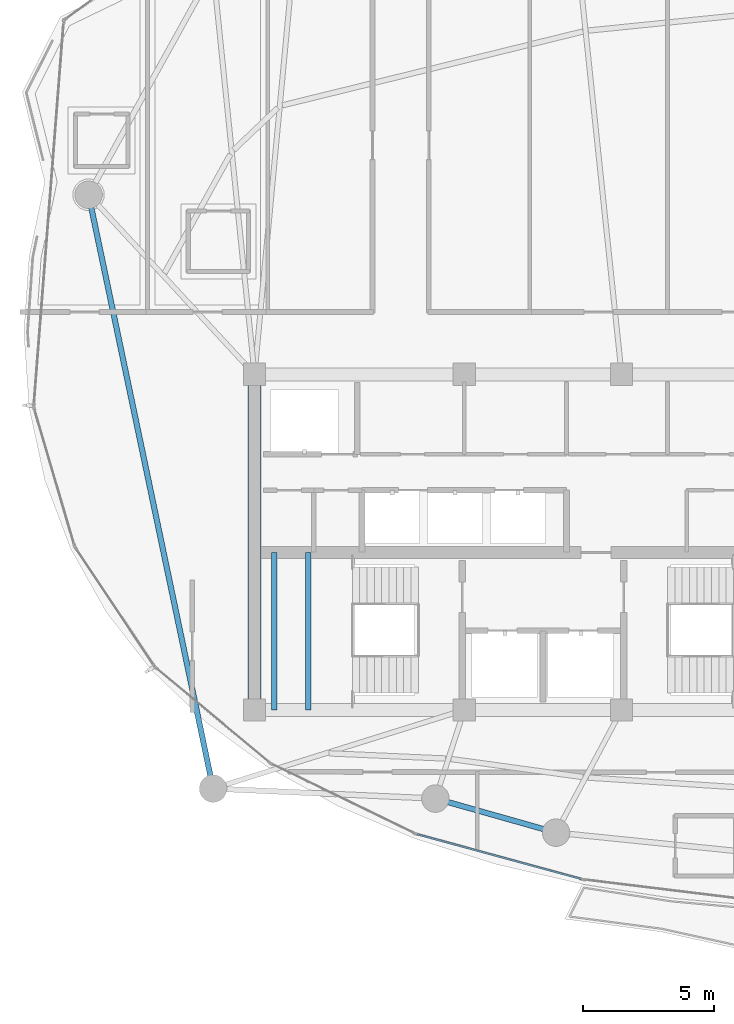
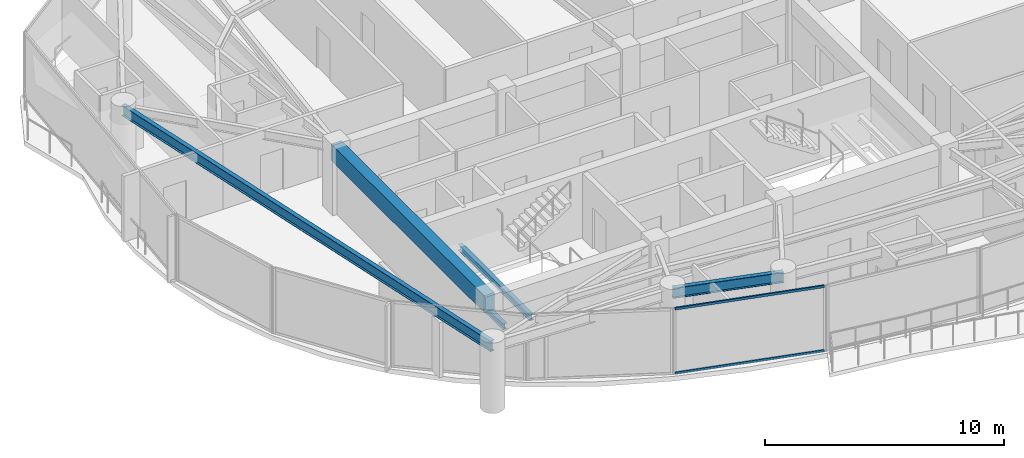
# One storey, part 4 of 31: 5 beams, 2 members, 1 element without a shape of its own.
"""IFC4 building model written with IfcOpenShell, lengths in metres."""

from ifc_helpers import new_model, si_unit, direction, frame, origin, origin_2d, place, context, subcontext, project, spatial, rectangle, hollow_rectangle, i_section, extrude, material, layer, layer_set, material_profile, profile_set, type_object, element, aggregate, save


model = new_model("IFC4")

# Units and contexts
model_context = context("Model", 3, precision=1e-05, world=origin(), true_north=direction((0.0, 1.0)))
body_context = subcontext(model_context, "Body", "Model", "MODEL_VIEW")
ifc_project = project(units=[si_unit("LENGTHUNIT", "METRE"), si_unit("AREAUNIT", "SQUARE_METRE"), si_unit("VOLUMEUNIT", "CUBIC_METRE"), si_unit("PLANEANGLEUNIT", "RADIAN"), si_unit("MASSUNIT", "GRAM", prefix="KILO")], contexts=[model_context])

# Site, building, storey
site_placement = place(None, origin())
site = spatial("IfcSite", under=ifc_project, at=site_placement, CompositionType="ELEMENT")
building_placement = place(site_placement, origin())
building = spatial("IfcBuilding", under=site, at=building_placement, Name="Kazevale Care Tower and Concert Hall", CompositionType="ELEMENT")
storey_placement = place(building_placement, frame((0.0, 0.0, 238.800048828125)))
storey = spatial("IfcBuildingStorey", under=building, at=storey_placement, Name="L63", CompositionType="ELEMENT", Elevation=238.800048828125)

# Curtain wall, members
ifc_material_1 = material(Name="Aluminium 6063-T6 and Low-E Glass", Category="aluminium")
ifc_layer = layer(ifc_material_1, 0.179931640625)
ifc_layer_set = layer_set([ifc_layer], Name="Aluminium 6063-T6 and Low-E Glass")
curtain_wall_type = type_object("IfcCurtainWallType", Name="Sheltered Concave Balcony Curtain Wall CW-5", PredefinedType="NOTDEFINED", material=ifc_layer_set)
curtain_wall_placement = place(storey_placement, origin())
curtain_wall = element("IfcCurtainWall", 1, at=curtain_wall_placement, inside=storey, type_object=curtain_wall_type, Name="cw:L63:f08", PredefinedType="NOTDEFINED")
ifc_material_2 = material(Name="Aluminium 6063-T6", Category="aluminium")
ifc_material_profile_1 = material_profile(ifc_material_2, hollow_rectangle(XDim=0.074951171875, YDim=0.1201171875, WallThickness=0.00390625, at=origin_2d()), Name="ALU75x120x4")
ifc_profile_set_1 = profile_set([ifc_material_profile_1], Name="Aluminium 6063-T6")
member_type = type_object("IfcMemberType", Name="CW-5 Transom ALU75x120x4", PredefinedType="USERDEFINED", material=ifc_profile_set_1)
member_1_placement = place(storey_placement, frame((34.458740234375, 17.15283203125, 0.037353515625), z_axis=(-0.964843890632, 0.262823641842, 0.0), x_axis=(-0.262823641842, -0.964843890632, 0.0)))
member_1 = element("IfcMember", 2, at=member_1_placement, type_object=member_type, Name="CW-5 transom 1.1", ObjectType="TRANSOM", PredefinedType="USERDEFINED", context=body_context, shape_type="SweptSolid", body=[
    extrude(hollow_rectangle(XDim=0.074951171875, YDim=0.1201171875, WallThickness=0.00390625, at=origin_2d()), origin(), (0.0, 0.0, 1.0), 6.469970703125),
])
member_2_placement = place(storey_placement, frame((34.458740234375, 17.15283203125, 3.322509765625), z_axis=(-0.964843890632, 0.262823641842, 0.0), x_axis=(-0.262823641842, -0.964843890632, 0.0)))
member_2 = element("IfcMember", 3, at=member_2_placement, type_object=member_type, Name="CW-5 transom 1.2", ObjectType="TRANSOM", PredefinedType="USERDEFINED", context=body_context, shape_type="SweptSolid", body=[
    extrude(hollow_rectangle(XDim=0.074951171875, YDim=0.1201171875, WallThickness=0.00390625, at=origin_2d()), origin(), (0.0, 0.0, 1.0), 6.469970703125),
])
aggregate(curtain_wall, [member_1, member_2])

# Beams
ifc_material_3 = material(Name="Concrete C60", Category="concrete")
ifc_material_profile_2 = material_profile(ifc_material_3, rectangle(XDim=0.5, YDim=0.85009765625, at=origin_2d()), Name="RC-B500x850")
ifc_profile_set_2 = profile_set([ifc_material_profile_2], Name="Concrete C60")
beam_type_1 = type_object("IfcBeamType", Name="Core Coupling Beam RC500x850", PredefinedType="LINTEL", material=ifc_profile_set_2)
beam_1_placement = place(storey_placement, frame((22.0, 36.39990234375, 2.93505859375), z_axis=(0.0, -1.0, 0.0), x_axis=(1.0, 0.0, 0.0)))
element("IfcBeam", 4, at=beam_1_placement, inside=storey, type_object=beam_type_1, Name="beam:L63:coretie:8", PredefinedType="LINTEL", context=body_context, shape_type="SweptSolid", body=[
    extrude(rectangle(XDim=0.5, YDim=0.85009765625, at=origin_2d()), origin(), (0.0, 0.0, 1.0), 12.7998046875),
])
ifc_material_4 = material(Name="Steel ASTM A572 Gr 50", Category="steel")
ifc_material_profile_3 = material_profile(ifc_material_4, i_section(OverallWidth=0.202880859375, OverallDepth=0.302978515625, WebThickness=0.007568359375, FlangeThickness=0.01318359375, at=origin_2d()), Name="W310x60")
ifc_profile_set_3 = profile_set([ifc_material_profile_3], Name="Steel ASTM A572 Gr 50")
beam_type_2 = type_object("IfcBeamType", Name="Stair & Balcony Trimmer W310x60", PredefinedType="BEAM", material=ifc_profile_set_3)
for number, where, z_axis, x_axis, name in (
    (5, (22.75, 23.60009765625, 1.448486328125), (0.0, 1.0, 0.0), (-1.0, 0.0, 0.0), "beam:L63:sttrim:ST1"),
    (6, (24.050048828125, 23.60009765625, 1.448486328125), (0.0, 1.0, 0.0), (-1.0, 0.0, 0.0), "beam:L63:sttrim:ST1b"),
):
    element("IfcBeam", number, at=place(storey_placement, frame(where, z_axis=z_axis, x_axis=x_axis)), inside=storey, type_object=beam_type_2, Name=name, PredefinedType="BEAM", context=body_context, shape_type="SweptSolid", body=[
        extrude(i_section(OverallWidth=0.202880859375, OverallDepth=0.302978515625, WebThickness=0.007568359375, FlangeThickness=0.01318359375, at=origin_2d()), origin(), (0.0, 0.0, 1.0), 6.0),
    ])
ifc_material_profile_4 = material_profile(ifc_material_4, i_section(OverallWidth=0.208984375, OverallDepth=0.532958984375, WebThickness=0.01025390625, FlangeThickness=0.015625, at=origin_2d()), Name="W530x92")
ifc_profile_set_4 = profile_set([ifc_material_profile_4], Name="Steel ASTM A572 Gr 50")
beam_type_3 = type_object("IfcBeamType", Name="Upper Ring Beam W530x92", PredefinedType="BEAM", material=ifc_profile_set_4)
beam_2_placement = place(storey_placement, frame((15.669921875, 43.25, 3.093505859375), z_axis=(0.205249071222, -0.978709772488, 0.0), x_axis=(0.978709772488, 0.205249071222, 0.0)))
element("IfcBeam", 7, at=beam_2_placement, inside=storey, type_object=beam_type_3, Name="beam:L63:ring:09", PredefinedType="BEAM", context=body_context, shape_type="SweptSolid", body=[
    extrude(i_section(OverallWidth=0.208984375, OverallDepth=0.532958984375, WebThickness=0.01025390625, FlangeThickness=0.015625, at=origin_2d()), origin(), (0.0, 0.0, 1.0), 23.142578125),
])
beam_3_placement = place(storey_placement, frame((28.89990234375, 20.219970703125, 3.093505859375), z_axis=(0.962308240836, -0.271961117846, 0.0), x_axis=(0.271961117846, 0.962308240836, 0.0)))
element("IfcBeam", 8, at=beam_3_placement, inside=storey, type_object=beam_type_3, Name="beam:L63:ring:11", PredefinedType="BEAM", context=body_context, shape_type="SweptSolid", body=[
    extrude(i_section(OverallWidth=0.208984375, OverallDepth=0.532958984375, WebThickness=0.01025390625, FlangeThickness=0.015625, at=origin_2d()), origin(), (0.0, 0.0, 1.0), 4.7802734375),
])

save(model, "model.ifc")
